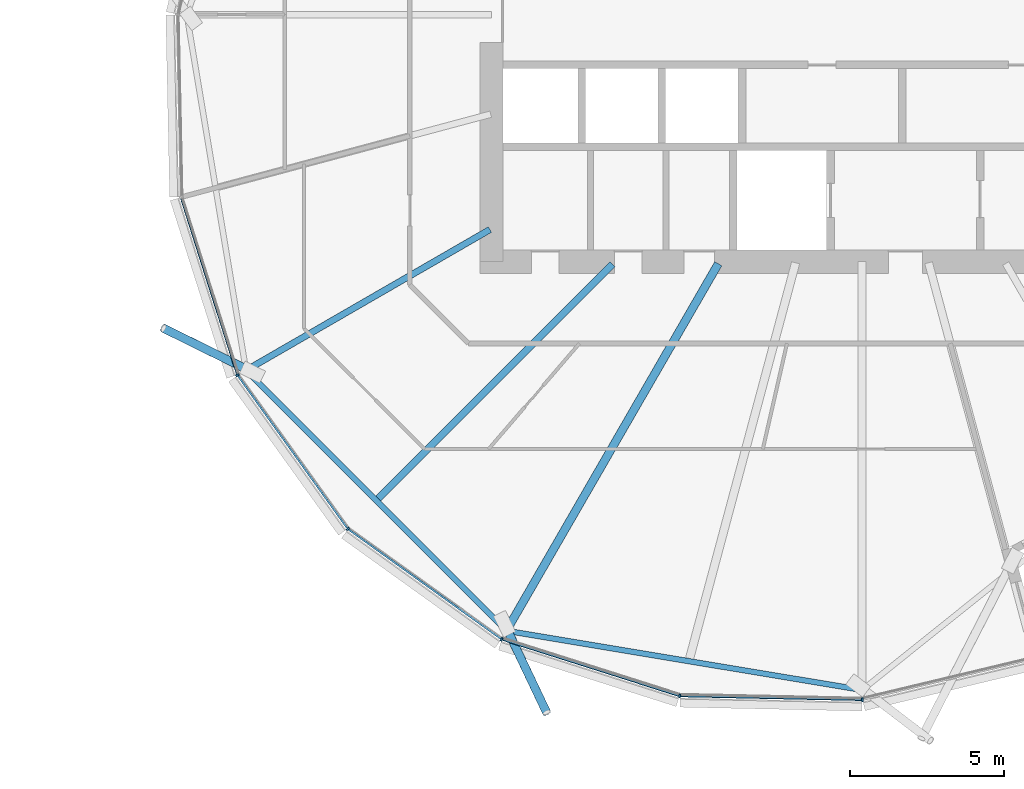
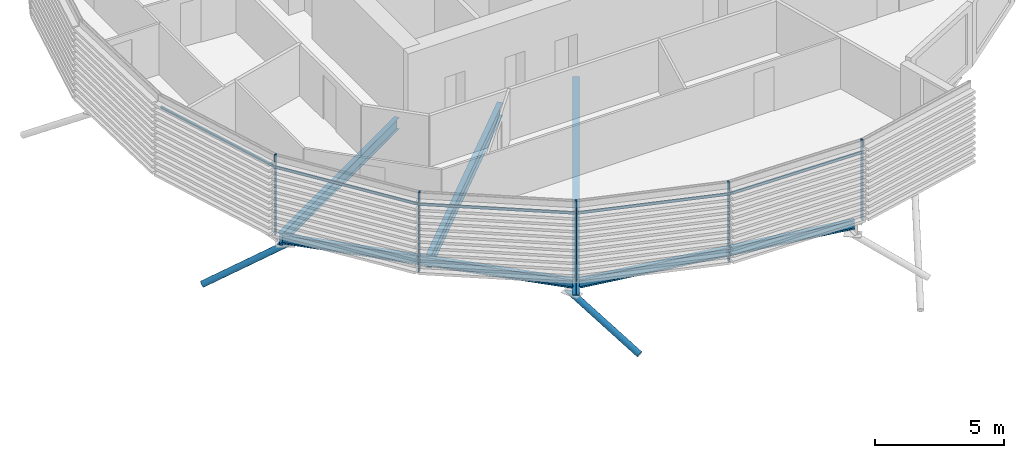
# One storey, part 11 of 39: 12 members, 5 beams, 1 element without a shape of its own.
"""IFC4 building model written with IfcOpenShell, lengths in metres."""

from ifc_helpers import new_model, si_unit, direction, frame, origin, origin_2d, place, context, subcontext, project, spatial, rectangle, hollow_circle, i_section, extrude, clip, halfspace, material, material_profile, profile_set, type_object, element, aggregate, save


model = new_model("IFC4")

# Units and contexts
model_context = context("Model", 3, precision=1e-05, world=origin(), true_north=direction((0.0, 1.0)))
body_context = subcontext(model_context, "Body", "Model", "MODEL_VIEW")
ifc_project = project(units=[si_unit("LENGTHUNIT", "METRE"), si_unit("AREAUNIT", "SQUARE_METRE"), si_unit("VOLUMEUNIT", "CUBIC_METRE"), si_unit("PLANEANGLEUNIT", "RADIAN"), si_unit("MASSUNIT", "GRAM", prefix="KILO")], contexts=[model_context])

# Site, building, storey
site_placement = place(None, origin())
site = spatial("IfcSite", under=ifc_project, at=site_placement, CompositionType="ELEMENT")
building_placement = place(site_placement, origin())
building = spatial("IfcBuilding", under=site, at=building_placement, Name="Rimbun Link Towers", CompositionType="ELEMENT")
storey_placement = place(building_placement, frame((0.0, 0.0, 100.60009765625)))
storey = spatial("IfcBuildingStorey", under=building, at=storey_placement, Name="L24", CompositionType="ELEMENT", Elevation=100.60009765625)

# Curtain wall, members
ifc_material_1 = material(Name="Aluminium 6063-T6 and low-iron glass", Category="aluminium")
curtain_wall_type = type_object("IfcCurtainWallType", Name="CW1-Z2 unitised vision wall (zone 2)", PredefinedType="NOTDEFINED", material=ifc_material_1)
curtain_wall_placement = place(storey_placement, origin())
curtain_wall = element("IfcCurtainWall", 1, at=curtain_wall_placement, inside=storey, type_object=curtain_wall_type, Name="CW1 L24 T2", PredefinedType="NOTDEFINED")
ifc_material_2 = material(Name="Aluminium 6063-T6", Category="aluminium")
ifc_material_profile_1 = material_profile(ifc_material_2, rectangle(XDim=0.1201171875, YDim=0.06005859375, at=origin_2d()), Name="MULLION 60X120")
ifc_profile_set_1 = profile_set([ifc_material_profile_1], Name="Aluminium 6063-T6")
member_type_1 = type_object("IfcMemberType", Name="CW1 mullion 60X120", PredefinedType="MULLION", material=ifc_profile_set_1)
member_1_placement = place(storey_placement, frame((11.52099609375, -11.67529296875, 0.0), z_axis=(0.0, 0.0, 1.0), x_axis=(-0.893748292428, -0.448568823909, 0.0)))
member_1 = element("IfcMember", 2, at=member_1_placement, type_object=member_type_1, Name="CW1 mullion", PredefinedType="MULLION", context=body_context, shape_type="SweptSolid", body=[
    extrude(rectangle(XDim=0.1201171875, YDim=0.06005859375, at=origin_2d()), origin(), (0.0, 0.0, 1.0), 3.7998046875),
])
member_2_placement = place(storey_placement, frame((15.094482421875, -16.655517578125, 0.0), z_axis=(0.0, 0.0, 1.0), x_axis=(-0.707106781187, -0.707106781187, 0.0)))
member_2 = element("IfcMember", 3, at=member_2_placement, type_object=member_type_1, Name="CW1 mullion", PredefinedType="MULLION", context=body_context, shape_type="SweptSolid", body=[
    extrude(rectangle(XDim=0.1201171875, YDim=0.06005859375, at=origin_2d()), origin(), (0.0, 0.0, 1.0), 3.7998046875),
])
member_3_placement = place(storey_placement, frame((20.07470703125, -20.22900390625, 0.0), z_axis=(0.0, 0.0, 1.0), x_axis=(-0.448568823909, -0.893748292428, 0.0)))
member_3 = element("IfcMember", 4, at=member_3_placement, type_object=member_type_1, Name="CW1 mullion", PredefinedType="MULLION", context=body_context, shape_type="SweptSolid", body=[
    extrude(rectangle(XDim=0.1201171875, YDim=0.06005859375, at=origin_2d()), origin(), (0.0, 0.0, 1.0), 3.7998046875),
])
member_4_placement = place(storey_placement, frame((25.843994140625, -22.06396484375, 0.0), z_axis=(0.0, 0.0, 1.0), x_axis=(-0.16374422533, -0.986502827503, 0.0)))
member_4 = element("IfcMember", 5, at=member_4_placement, type_object=member_type_1, Name="CW1 mullion", PredefinedType="MULLION", context=body_context, shape_type="SweptSolid", body=[
    extrude(rectangle(XDim=0.1201171875, YDim=0.06005859375, at=origin_2d()), origin(), (0.0, 0.0, 1.0), 3.7998046875),
])
member_5_placement = place(storey_placement, frame((31.75634765625, -22.188720703125, 0.0), z_axis=(0.0, 0.0, 1.0), x_axis=(0.106641875974, -0.994297495868, 0.0)))
member_5 = element("IfcMember", 6, at=member_5_placement, type_object=member_type_1, Name="CW1 mullion", PredefinedType="MULLION", context=body_context, shape_type="SweptSolid", body=[
    extrude(rectangle(XDim=0.1201171875, YDim=0.06005859375, at=origin_2d()), origin(), (0.0, 0.0, 1.0), 3.7998046875),
])
ifc_material_3 = material(Name="Aluminium 6063-T6", Category="aluminium")
ifc_material_profile_2 = material_profile(ifc_material_3, rectangle(XDim=0.06005859375, YDim=0.1201171875, at=origin_2d()), Name="TRANSOM 60X120")
ifc_profile_set_2 = profile_set([ifc_material_profile_2], Name="Aluminium 6063-T6")
member_type_2 = type_object("IfcMemberType", Name="CW1 transom 60X120", PredefinedType="USERDEFINED", material=ifc_profile_set_2)
member_6_placement = place(storey_placement, frame((11.51025390625, -11.63720703125, 3.199951171875), z_axis=(-0.303095733354, 0.952960112713, 0.0), x_axis=(-0.952960112713, -0.303095733354, 0.0)))
member_6 = element("IfcMember", 7, at=member_6_placement, type_object=member_type_2, Name="CW1 transom", ObjectType="TRANSOM", PredefinedType="USERDEFINED", context=body_context, shape_type="SweptSolid", body=[
    extrude(rectangle(XDim=0.06005859375, YDim=0.1201171875, at=origin_2d()), origin(), (0.0, 0.0, 1.0), 5.975830078125),
])
member_7_placement = place(storey_placement, frame((15.072265625, -16.62255859375, 3.199951171875), z_axis=(-0.582977368551, 0.812488392383, 0.0), x_axis=(-0.812488392383, -0.582977368551, 0.0)))
member_7 = element("IfcMember", 8, at=member_7_placement, type_object=member_type_2, Name="CW1 transom", ObjectType="TRANSOM", PredefinedType="USERDEFINED", context=body_context, shape_type="SweptSolid", body=[
    extrude(rectangle(XDim=0.06005859375, YDim=0.1201171875, at=origin_2d()), origin(), (0.0, 0.0, 1.0), 6.050537109375),
])
member_8_placement = place(storey_placement, frame((20.04345703125, -20.205078125, 3.199951171875), z_axis=(-0.812488392383, 0.582977368551, 0.0), x_axis=(-0.582977368551, -0.812488392383, 0.0)))
member_8 = element("IfcMember", 9, at=member_8_placement, type_object=member_type_2, Name="CW1 transom", ObjectType="TRANSOM", PredefinedType="USERDEFINED", context=body_context, shape_type="SweptSolid", body=[
    extrude(rectangle(XDim=0.06005859375, YDim=0.1201171875, at=origin_2d()), origin(), (0.0, 0.0, 1.0), 6.050537109375),
])
member_9_placement = place(storey_placement, frame((25.8076171875, -22.051025390625, 3.199951171875), z_axis=(-0.952960112713, 0.303095733354, 0.0), x_axis=(-0.303095733354, -0.952960112713, 0.0)))
member_9 = element("IfcMember", 10, at=member_9_placement, type_object=member_type_2, Name="CW1 transom", ObjectType="TRANSOM", PredefinedType="USERDEFINED", context=body_context, shape_type="SweptSolid", body=[
    extrude(rectangle(XDim=0.06005859375, YDim=0.1201171875, at=origin_2d()), origin(), (0.0, 0.0, 1.0), 5.975830078125),
])
member_10_placement = place(storey_placement, frame((31.71875, -22.186279296875, 3.199951171875), z_axis=(-0.999778698532, 0.021036966549, 0.0), x_axis=(-0.021036966549, -0.999778698532, 0.0)))
member_10 = element("IfcMember", 11, at=member_10_placement, type_object=member_type_2, Name="CW1 transom", ObjectType="TRANSOM", PredefinedType="USERDEFINED", context=body_context, shape_type="SweptSolid", body=[
    extrude(rectangle(XDim=0.06005859375, YDim=0.1201171875, at=origin_2d()), origin(), (0.0, 0.0, 1.0), 5.83740234375),
])
aggregate(curtain_wall, [member_1, member_2, member_3, member_4, member_5, member_6, member_7, member_8, member_9, member_10])

# Members
ifc_material_4 = material(Name="Steel S355J2H", Category="steel")
ifc_material_profile_3 = material_profile(ifc_material_4, hollow_circle(Radius=0.136474609375, WallThickness=0.012451171875, at=origin_2d()), Name="CHS 273x12.5")
ifc_profile_set_3 = profile_set([ifc_material_profile_3], Name="Steel S355J2H")
member_type_3 = type_object("IfcMemberType", Name="Floor edge link CHS 273x12.5", PredefinedType="BRACE", material=ifc_profile_set_3)
member_11_placement = place(storey_placement, frame((11.839599609375, -11.495361328125, -0.8134765625), z_axis=(-0.789805454902, 0.389670354697, -0.473671149721), x_axis=(-0.442454369197, -0.896791018676, 0.0)))
element("IfcMember", 12, at=member_11_placement, inside=storey, type_object=member_type_3, Name="Floor edge link T2 L24 11", PredefinedType="BRACE", context=body_context, shape_type="Clipping", body=[
    clip(extrude(hollow_circle(Radius=0.136474609375, WallThickness=0.012451171875, at=origin_2d()), frame((0.0, 0.0, -0.52880859375)), (0.0, 0.0, 1.0), 3.9814453125), halfspace(frame((0.0, 0.0, -0.249755859375), z_axis=(0.0, 0.880701789439, -0.473671149721)), False)),
])
member_12_placement = place(storey_placement, frame((20.254638671875, -19.910400390625, -1.044189453125), z_axis=(0.38227041988, -0.804584756367, -0.454436679755), x_axis=(0.90323718588, 0.429141685279, 0.0)))
element("IfcMember", 13, at=member_12_placement, inside=storey, type_object=member_type_3, Name="Floor edge link T2 L24 13", PredefinedType="BRACE", context=body_context, shape_type="Clipping", body=[
    clip(extrude(hollow_circle(Radius=0.136474609375, WallThickness=0.012451171875, at=origin_2d()), frame((0.0, 0.0, -0.55712890625)), (0.0, 0.0, 1.0), 3.91650390625), halfspace(frame((0.0, 0.0, -0.263916015625), z_axis=(0.0, 0.890779043362, -0.454436679755)), False)),
])

# Beams
ifc_material_5 = material(Name="Steel S355J2", Category="steel")
ifc_material_profile_4 = material_profile(ifc_material_5, i_section(OverallWidth=0.177978515625, OverallDepth=0.406494140625, WebThickness=0.0078125, FlangeThickness=0.0126953125, at=origin_2d()), Name="UB 406x178x60")
ifc_profile_set_4 = profile_set([ifc_material_profile_4], Name="Steel S355J2")
beam_type_1 = type_object("IfcBeamType", Name="UB 406x178x60", PredefinedType="BEAM", material=ifc_profile_set_4)
beam_1_placement = place(storey_placement, frame((11.87353515625, -11.59765625, -0.36328125), z_axis=(0.707106781187, -0.707106781187, 0.0), x_axis=(0.707106781187, 0.707106781187, 0.0)))
element("IfcBeam", 14, at=beam_1_placement, inside=storey, type_object=beam_type_1, Name="Edge beam T2 L24 11-13", PredefinedType="BEAM", context=body_context, shape_type="SweptSolid", body=[
    extrude(i_section(OverallWidth=0.177978515625, OverallDepth=0.406494140625, WebThickness=0.0078125, FlangeThickness=0.0126953125, at=origin_2d()), origin(), (0.0, 0.0, 1.0), 11.67822265625),
])
beam_2_placement = place(storey_placement, frame((20.37109375, -19.977294921875, -0.36328125), z_axis=(0.986419380736, -0.164246172888, 0.0), x_axis=(0.164246172888, 0.986419380736, 0.0)))
element("IfcBeam", 15, at=beam_2_placement, inside=storey, type_object=beam_type_1, Name="Edge beam T2 L24 13-15", PredefinedType="BEAM", context=body_context, shape_type="SweptSolid", body=[
    extrude(i_section(OverallWidth=0.177978515625, OverallDepth=0.406494140625, WebThickness=0.0078125, FlangeThickness=0.0126953125, at=origin_2d()), origin(), (0.0, 0.0, 1.0), 11.3994140625),
])
ifc_material_6 = material(Name="Steel S355J2", Category="steel")
ifc_material_profile_5 = material_profile(ifc_material_6, i_section(OverallWidth=0.209228515625, OverallDepth=0.533203125, WebThickness=0.010009765625, FlangeThickness=0.015625, at=origin_2d()), Name="UB 533x210x92")
ifc_profile_set_5 = profile_set([ifc_material_profile_5], Name="Steel S355J2")
beam_type_2 = type_object("IfcBeamType", Name="UB 533x210x92", PredefinedType="BEAM", material=ifc_profile_set_5)
beam_3_placement = place(storey_placement, frame((19.69677734375, -6.958984375, -0.426513671875), z_axis=(-0.866021140091, -0.50000738486, 0.0), x_axis=(0.50000738486, -0.866021140091, 0.0)))
element("IfcBeam", 16, at=beam_3_placement, inside=storey, type_object=beam_type_2, Name="Radial beam T2 L24 11", PredefinedType="BEAM", context=body_context, shape_type="SweptSolid", body=[
    extrude(i_section(OverallWidth=0.209228515625, OverallDepth=0.533203125, WebThickness=0.010009765625, FlangeThickness=0.015625, at=origin_2d()), origin(), (0.0, 0.0, 1.0), 9.122802734375),
])
ifc_material_7 = material(Name="Steel S355J2", Category="steel")
ifc_material_profile_6 = material_profile(ifc_material_7, i_section(OverallWidth=0.2275390625, OverallDepth=0.6025390625, WebThickness=0.010498046875, FlangeThickness=0.014892578125, at=origin_2d()), Name="UB 610x229x101")
ifc_profile_set_6 = profile_set([ifc_material_profile_6], Name="Steel S355J2")
beam_type_3 = type_object("IfcBeamType", Name="UB 610x229x101", PredefinedType="BEAM", material=ifc_profile_set_6)
beam_4_placement = place(storey_placement, frame((23.668701171875, -8.081298828125, -0.46142578125), z_axis=(-0.707106781187, -0.707106781187, 0.0), x_axis=(0.707106781187, -0.707106781187, 0.0)))
element("IfcBeam", 17, at=beam_4_placement, inside=storey, type_object=beam_type_3, Name="Radial beam T2 L24 12", PredefinedType="BEAM", context=body_context, shape_type="SweptSolid", body=[
    extrude(i_section(OverallWidth=0.2275390625, OverallDepth=0.6025390625, WebThickness=0.010498046875, FlangeThickness=0.014892578125, at=origin_2d()), origin(), (0.0, 0.0, 1.0), 10.737060546875),
])
ifc_material_8 = material(Name="Steel S355J2", Category="steel")
ifc_material_profile_7 = material_profile(ifc_material_8, i_section(OverallWidth=0.2666015625, OverallDepth=0.76220703125, WebThickness=0.014404296875, FlangeThickness=0.021484375, at=origin_2d()), Name="UB 762x267x173")
ifc_profile_set_7 = profile_set([ifc_material_profile_7], Name="Steel S355J2")
beam_type_4 = type_object("IfcBeamType", Name="UB 762x267x173", PredefinedType="BEAM", material=ifc_profile_set_7)
beam_5_placement = place(storey_placement, frame((27.09228515625, -8.0673828125, -0.541259765625), z_axis=(-0.500007303237, -0.866021187218, 0.0), x_axis=(0.866021187218, -0.500007303237, 0.0)))
element("IfcBeam", 18, at=beam_5_placement, inside=storey, type_object=beam_type_4, Name="Radial beam T2 L24 13", PredefinedType="BEAM", context=body_context, shape_type="SweptSolid", body=[
    extrude(i_section(OverallWidth=0.2666015625, OverallDepth=0.76220703125, WebThickness=0.014404296875, FlangeThickness=0.021484375, at=origin_2d()), origin(), (0.0, 0.0, 1.0), 13.725341796875),
])

save(model, "model.ifc")
